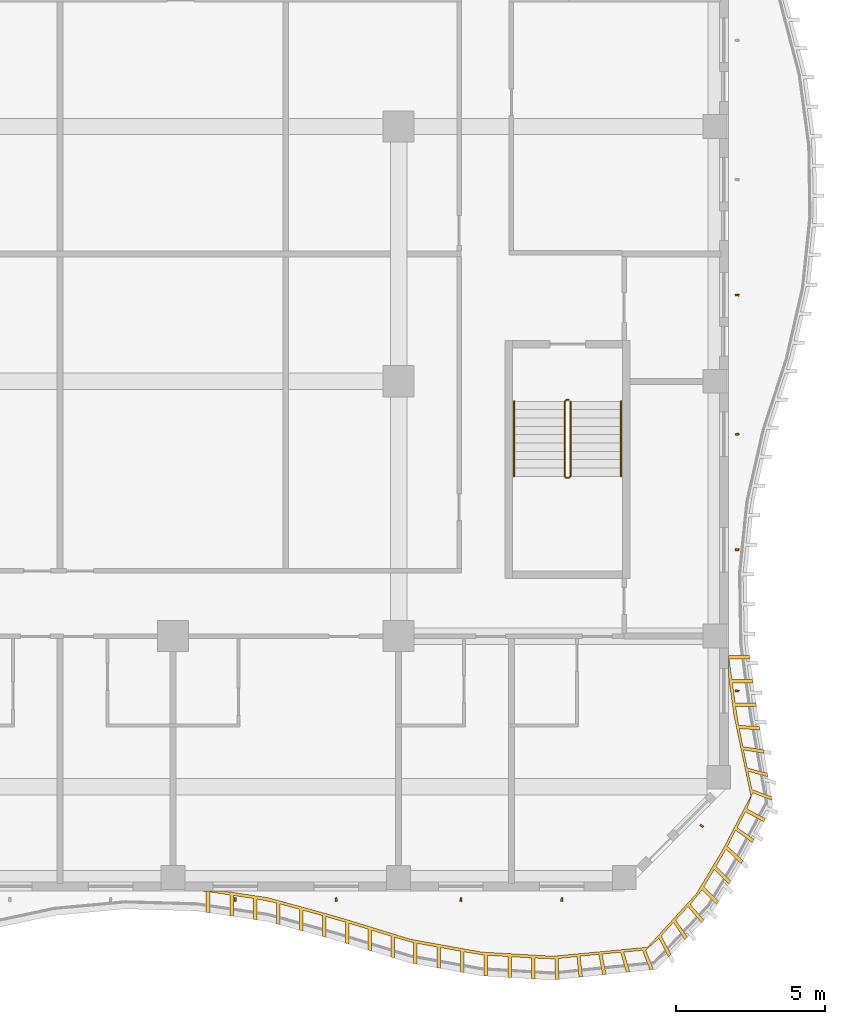
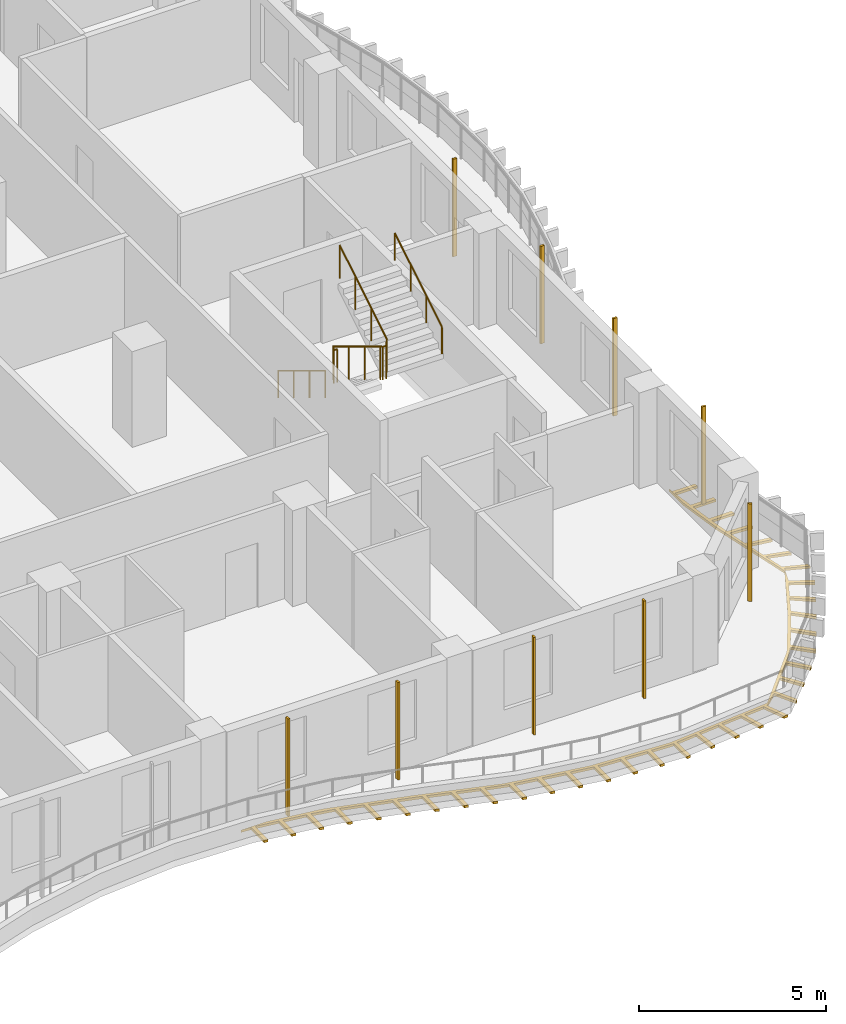
# One storey, part 17 of 21: 10 shading devices, 3 railings.
"""IFC4 building model written with IfcOpenShell, lengths in metres."""

import ifcopenshell
import ifcopenshell.guid

model = None  # the IFC model being written
_history = None  # IfcOwnerHistory: only IFC2X3 demands one
_inside = {}  # id of a spatial element -> (the spatial element, [elements in it])
_under = {}  # id of a project, library or spatial element -> (it, [spatial elements below it])
_declared = {}  # id of a project -> (the project, [libraries it declares])
_typed = {}  # id of a type object -> (the type object, [elements of that type])
_made_of = {}  # id of a material, layer set ... -> (it, [elements and type objects made of it])


def new_model(schema):
    """Start an empty IFC model of exactly this schema.

    Asked for "IFC4X3", IfcOpenShell would pick the latest addendum, in which some entities
    have other attributes; the version numbers below select the first issue.
    IFC2X3 requires an IfcOwnerHistory on every rooted entity: one is made here for all.
    """
    global model, _history
    if schema == "IFC4X3":
        model = ifcopenshell.file(schema_version=(4, 3, 0, 0))
    else:
        model = ifcopenshell.file(schema=schema)
    _inside.clear()
    _under.clear()
    _declared.clear()
    _typed.clear()
    _made_of.clear()
    _history = None
    if model.schema == "IFC2X3":
        org = make("IfcOrganization", Name="unknown")
        user = make(
            "IfcPersonAndOrganization",
            ThePerson=make("IfcPerson", FamilyName="unknown"),
            TheOrganization=org,
        )
        app = make(
            "IfcApplication",
            ApplicationDeveloper=org,
            Version="unknown",
            ApplicationFullName="unknown",
            ApplicationIdentifier="unknown",
        )
        _history = make(
            "IfcOwnerHistory",
            OwningUser=user,
            OwningApplication=app,
            ChangeAction="ADDED",
            CreationDate=0,
        )
    return model


def make(cls, **values):
    """One entity of the class cls with the attributes given. An attribute that is None is left unset."""
    return model.create_entity(
        cls, **{name: value for name, value in values.items() if value is not None}
    )


def rooted(cls, **values):
    """An entity with a GlobalId (a new one), such as an element, a storey or a relation."""
    return make(cls, GlobalId=ifcopenshell.guid.new(), OwnerHistory=_history, **values)


def si_unit(unit_type, name, prefix=None):
    """IfcSIUnit, for example si_unit("LENGTHUNIT", "METRE", prefix="MILLI")."""
    return make("IfcSIUnit", UnitType=unit_type, Prefix=prefix, Name=name)


def assignment(units):
    """IfcUnitAssignment: the units of a project."""
    return None if units is None else make("IfcUnitAssignment", Units=units)


def point(xyz):
    """IfcCartesianPoint."""
    return None if xyz is None else make("IfcCartesianPoint", Coordinates=xyz)


def direction(xyz):
    """IfcDirection."""
    return None if xyz is None else make("IfcDirection", DirectionRatios=xyz)


def frame(location, z_axis=None, x_axis=None):
    """IfcAxis2Placement3D, a coordinate frame: its origin and axes. An axis left out is left unset."""
    return make(
        "IfcAxis2Placement3D",
        Location=point(location),
        Axis=direction(z_axis),
        RefDirection=direction(x_axis),
    )


def frame_2d(location, x_axis=None):
    """IfcAxis2Placement2D, a coordinate frame in the plane: its origin and x axis."""
    return make(
        "IfcAxis2Placement2D", Location=point(location), RefDirection=direction(x_axis)
    )


def origin():
    """The frame at (0, 0, 0) with its axes left unset."""
    return frame((0.0, 0.0, 0.0))


def origin_2d():
    """The frame at (0, 0) in the plane with its x axis left unset."""
    return frame_2d((0.0, 0.0))


def place(relative_to, where):
    """IfcLocalPlacement: puts the frame where relative to a parent placement (None: the world)."""
    return make(
        "IfcLocalPlacement", PlacementRelTo=relative_to, RelativePlacement=where
    )


def context(
    kind, dimensions, precision=None, world=None, true_north=None, identifier=None
):
    """IfcGeometricRepresentationContext, for example the 3D "Model" context."""
    return make(
        "IfcGeometricRepresentationContext",
        ContextIdentifier=identifier,
        ContextType=kind,
        CoordinateSpaceDimension=dimensions,
        Precision=precision,
        WorldCoordinateSystem=world,
        TrueNorth=true_north,
    )


def subcontext(parent, identifier, kind, view, scale=None):
    """IfcGeometricRepresentationSubContext, for example "Body" below "Model"."""
    return make(
        "IfcGeometricRepresentationSubContext",
        ContextIdentifier=identifier,
        ContextType=kind,
        ParentContext=parent,
        TargetScale=scale,
        TargetView=view,
    )


def project(units=None, contexts=None):
    """IfcProject with its units and contexts."""
    return rooted(
        "IfcProject",
        Name="project",
        RepresentationContexts=contexts,
        UnitsInContext=assignment(units),
    )


def spatial(cls, under=None, at=None, **own):
    """A site, building, storey or space (cls), placed at a placement, below another one or the project."""
    s = rooted(cls, ObjectPlacement=at, **own)
    if under is not None:
        _under.setdefault(under.id(), (under, []))[1].append(s)
    return s


def polyline(points):
    """IfcPolyline through the points."""
    return make("IfcPolyline", Points=[point(p) for p in points])


def profile(cls, at=None, kind="AREA", **sizes):
    """A parametric profile (cls). Its sizes go by their IFC names, for example OverallWidth=200.0."""
    return make(cls, ProfileType=kind, Position=at, **sizes)


def rectangle(**sizes):
    """IfcRectangleProfileDef."""
    return profile("IfcRectangleProfileDef", **sizes)


def circle(**sizes):
    """IfcCircleProfileDef."""
    return profile("IfcCircleProfileDef", **sizes)


def outline(outer, holes=None, kind="AREA"):
    """IfcArbitraryClosedProfileDef: a profile drawn as a closed curve; with holes, ...WithVoids."""
    if holes is None:
        return make("IfcArbitraryClosedProfileDef", ProfileType=kind, OuterCurve=outer)
    return make(
        "IfcArbitraryProfileDefWithVoids",
        ProfileType=kind,
        OuterCurve=outer,
        InnerCurves=holes,
    )


def extrude(swept, where, along, depth):
    """IfcExtrudedAreaSolid: the profile swept, set in the frame where, extruded along a direction by depth."""
    return make(
        "IfcExtrudedAreaSolid",
        SweptArea=swept,
        Position=where,
        ExtrudedDirection=direction(along),
        Depth=depth,
    )


def shape(context_of_items, identifier, shape_type, items):
    """IfcShapeRepresentation: the items that make up one representation, for example the "Body"."""
    return make(
        "IfcShapeRepresentation",
        ContextOfItems=context_of_items,
        RepresentationIdentifier=identifier,
        RepresentationType=shape_type,
        Items=items,
    )


def source(mapping_origin, context_of_items, identifier, shape_type, items):
    """IfcRepresentationMap: a shape defined once, which mapped items show again and again."""
    return make(
        "IfcRepresentationMap",
        MappingOrigin=mapping_origin,
        MappedRepresentation=shape(context_of_items, identifier, shape_type, items),
    )


def transform(
    local_origin,
    x_axis=None,
    y_axis=None,
    z_axis=None,
    scale=None,
    scale2=None,
    scale3=None,
    uniform=True,
):
    """IfcCartesianTransformationOperator3D, or its non-uniform kind. x_axis, y_axis, z_axis: its Axis1, 2, 3."""
    if uniform:
        return make(
            "IfcCartesianTransformationOperator3D",
            Axis1=direction(x_axis),
            Axis2=direction(y_axis),
            LocalOrigin=point(local_origin),
            Scale=scale,
            Axis3=direction(z_axis),
        )
    return make(
        "IfcCartesianTransformationOperator3DnonUniform",
        Axis1=direction(x_axis),
        Axis2=direction(y_axis),
        LocalOrigin=point(local_origin),
        Scale=scale,
        Axis3=direction(z_axis),
        Scale2=scale2,
        Scale3=scale3,
    )


def mapped(mapping_source, mapping_target):
    """IfcMappedItem: shows the shape of a source again, moved by a transform."""
    return make(
        "IfcMappedItem", MappingSource=mapping_source, MappingTarget=mapping_target
    )


def material(Name=None, Category=None):
    """IfcMaterial."""
    return make("IfcMaterial", Name=Name, Category=Category)


def layer(
    of_material, thickness, ventilated=None, Name=None, Category=None, Priority=None
):
    """IfcMaterialLayer: one layer of a wall or slab, of a material (None: an air gap)."""
    return make(
        "IfcMaterialLayer",
        Material=of_material,
        LayerThickness=thickness,
        IsVentilated=ventilated,
        Name=Name,
        Category=Category,
        Priority=Priority,
    )


def layer_set(layers, Name=None):
    """IfcMaterialLayerSet."""
    return make("IfcMaterialLayerSet", MaterialLayers=layers, LayerSetName=Name)


def material_profile(
    of_material, cross_section, Name=None, Category=None, Priority=None
):
    """IfcMaterialProfile: a cross section and its material."""
    return make(
        "IfcMaterialProfile",
        Name=Name,
        Material=of_material,
        Profile=cross_section,
        Priority=Priority,
        Category=Category,
    )


def profile_set(profiles, Name=None, composite=None):
    """IfcMaterialProfileSet."""
    return make(
        "IfcMaterialProfileSet",
        Name=Name,
        MaterialProfiles=profiles,
        CompositeProfile=composite,
    )


def made_of(thing, what):
    """Note that an element or type object is made of a material, layer set ...; save() writes the relation."""
    if what is not None:
        _made_of.setdefault(what.id(), (what, []))[1].append(thing)
    return thing


def type_object(cls, material=None, **own):
    """A type object (cls), such as IfcWallType, which elements share."""
    return made_of(rooted(cls, **own), material)


def element(
    cls,
    number,
    at=None,
    inside=None,
    cuts=None,
    type_object=None,
    material=None,
    context=None,
    identifier="Body",
    shape_type=None,
    held_by="IfcProductDefinitionShape",
    body=None,
    shapes=None,
    **own,
):
    """One element of the class cls, such as IfcWall. Its Tag is "e" and its number.

    at: its placement. inside: the storey or other place that contains it. cuts: it is an
    opening in that element (IfcRelVoidsElement). A single representation is given by context,
    identifier, shape_type and body (its items); several are given by shapes. held_by: the class
    of the entity that holds the representations. save() writes the other relations.
    """
    e = rooted(cls, Tag="e%d" % number, ObjectPlacement=at, **own)
    if body is not None:
        shapes = [shape(context, identifier, shape_type, body)]
    if shapes is not None:
        e.Representation = make(held_by, Representations=shapes)
    if inside is not None:
        _inside.setdefault(inside.id(), (inside, []))[1].append(e)
    if cuts is not None:
        rooted(
            "IfcRelVoidsElement", RelatingBuildingElement=cuts, RelatedOpeningElement=e
        )
    if type_object is not None:
        _typed.setdefault(type_object.id(), (type_object, []))[1].append(e)
    return made_of(e, material)


def aggregate(whole, parts):
    """IfcRelAggregates: a whole, such as a stair, and the parts it consists of."""
    return rooted("IfcRelAggregates", RelatingObject=whole, RelatedObjects=parts)


def save(model, path):
    """Write the relations noted so far, then the file.

    IfcRelAggregates (storeys below a building ...), IfcRelContainedInSpatialStructure (elements
    in a storey), IfcRelDefinesByType, IfcRelAssociatesMaterial and IfcRelDeclares: one each for
    every whole, place, type object, material and project.
    """
    for whole, parts in _under.values():
        aggregate(whole, parts)
    for where, things in _inside.values():
        rooted(
            "IfcRelContainedInSpatialStructure",
            RelatedElements=things,
            RelatingStructure=where,
        )
    for kind, things in _typed.values():
        rooted("IfcRelDefinesByType", RelatedObjects=things, RelatingType=kind)
    for what, things in _made_of.values():
        rooted("IfcRelAssociatesMaterial", RelatedObjects=things, RelatingMaterial=what)
    for by, libraries in _declared.values():
        rooted("IfcRelDeclares", RelatingContext=by, RelatedDefinitions=libraries)
    model.write(path)


model = new_model("IFC4")

# Units and contexts
model_context = context("Model", 3, precision=1e-05, world=origin(), true_north=direction((0.0, 1.0)))
body_context = subcontext(model_context, "Body", "Model", "MODEL_VIEW")
ifc_project = project(units=[si_unit("LENGTHUNIT", "METRE"), si_unit("AREAUNIT", "SQUARE_METRE"), si_unit("VOLUMEUNIT", "CUBIC_METRE"), si_unit("PLANEANGLEUNIT", "RADIAN"), si_unit("MASSUNIT", "GRAM", prefix="KILO")], contexts=[model_context])

# Site, building, storey
site_placement = place(None, origin())
site = spatial("IfcSite", under=ifc_project, at=site_placement, CompositionType="ELEMENT")
building_placement = place(site_placement, origin())
building = spatial("IfcBuilding", under=site, at=building_placement, Name="Kilnfold Tower and Market Hall", CompositionType="ELEMENT")
storey_placement = place(building_placement, frame((0.0, 0.0, 182.10009765625)))
storey = spatial("IfcBuildingStorey", under=building, at=storey_placement, Name="L43", CompositionType="ELEMENT", Elevation=182.10009765625)

# Railings
ifc_material_1 = material(Name="Stainless steel 316", Category="steel")
railing_type_1 = type_object("IfcRailingType", Name="CORE STAIR GUARD 1100", PredefinedType="GUARDRAIL", material=ifc_material_1)
railing_1_placement = place(storey_placement, frame((19.89990234375, -9.75, 0.0)))
element("IfcRailing", 1, at=railing_1_placement, inside=storey, type_object=railing_type_1, Name="L43 ST4 stair guard 1", PredefinedType="GUARDRAIL", context=body_context, shape_type="SweptSolid", body=[
    extrude(circle(Radius=0.02392578125, at=origin_2d()), frame((0.0, 0.0, 1.076171875), z_axis=(-1.0, 0.0, 0.0), x_axis=(0.0, -1.0, 0.0)), (0.0, 0.0, 1.0), 0.099853515625),
    extrude(circle(Radius=0.02392578125, at=origin_2d()), frame((-0.099853515625, 0.0, 1.076171875), z_axis=(-0.271895245746, -0.271895245746, 0.923117517265), x_axis=(0.707106781187, -0.707106781187, 0.0)), (0.0, 0.0, 1.0), 0.18408203125),
    extrude(circle(Radius=0.02392578125, at=origin_2d()), frame((-0.14990234375, -0.050048828125, 1.24609375), z_axis=(0.0, -0.85478489116, 0.518982456201), x_axis=(1.0, 0.0, 0.0)), (0.0, 0.0, 1.0), 2.9482421875),
    extrude(circle(Radius=0.02392578125, at=origin_2d()), frame((-0.14990234375, -2.570068359375, 2.77587890625), z_axis=(0.707106781187, -0.707106781187, 0.0), x_axis=(0.707106781187, 0.707106781187, 0.0)), (0.0, 0.0, 1.0), 0.07080078125),
    extrude(circle(Radius=0.02392578125, at=origin_2d()), frame((-0.099853515625, -2.6201171875, 2.77587890625), z_axis=(1.0, 0.0, 0.0), x_axis=(0.0, 1.0, 0.0)), (0.0, 0.0, 1.0), 0.099853515625),
    extrude(circle(Radius=0.02392578125, at=origin_2d()), frame((0.0, -2.6201171875, 2.77587890625), z_axis=(0.271895245746, 0.271895245746, 0.923117517265), x_axis=(-0.707106781187, 0.707106781187, 0.0)), (0.0, 0.0, 1.0), 0.18408203125),
    extrude(circle(Radius=0.02392578125, at=origin_2d()), frame((0.050048828125, -2.570068359375, 2.94580078125), z_axis=(0.0, 0.85478489116, 0.518982456201), x_axis=(-1.0, 0.0, 0.0)), (0.0, 0.0, 1.0), 2.9482421875),
    extrude(circle(Radius=0.02099609375, at=origin_2d()), origin(), (0.0, 0.0, 1.0), 1.052001953125),
    extrude(circle(Radius=0.02099609375, at=origin_2d()), frame((-0.099853515625, 0.0, 0.0)), (0.0, 0.0, 1.0), 1.052001953125),
    extrude(circle(Radius=0.02099609375, at=origin_2d()), frame((-0.14990234375, -0.050048828125, 0.169921875)), (0.0, 0.0, 1.0), 1.052001953125),
    extrude(circle(Radius=0.02099609375, at=origin_2d()), frame((-0.14990234375, -0.89013671875, 0.679931640625)), (0.0, 0.0, 1.0), 1.052001953125),
    extrude(circle(Radius=0.02099609375, at=origin_2d()), frame((-0.14990234375, -1.72998046875, 1.18994140625)), (0.0, 0.0, 1.0), 1.052001953125),
    extrude(circle(Radius=0.02099609375, at=origin_2d()), frame((-0.14990234375, -2.570068359375, 1.699951171875)), (0.0, 0.0, 1.0), 1.052001953125),
    extrude(circle(Radius=0.02099609375, at=origin_2d()), frame((-0.099853515625, -2.6201171875, 1.699951171875)), (0.0, 0.0, 1.0), 1.052001953125),
    extrude(circle(Radius=0.02099609375, at=origin_2d()), frame((0.0, -2.6201171875, 1.699951171875)), (0.0, 0.0, 1.0), 1.052001953125),
    extrude(circle(Radius=0.02099609375, at=origin_2d()), frame((0.050048828125, -2.570068359375, 1.869873046875)), (0.0, 0.0, 1.0), 1.052001953125),
    extrude(circle(Radius=0.02099609375, at=origin_2d()), frame((0.050048828125, -1.72998046875, 2.3798828125)), (0.0, 0.0, 1.0), 1.052001953125),
    extrude(circle(Radius=0.02099609375, at=origin_2d()), frame((0.050048828125, -0.89013671875, 2.889892578125)), (0.0, 0.0, 1.0), 1.052001953125),
    extrude(circle(Radius=0.02099609375, at=origin_2d()), frame((0.050048828125, -0.050048828125, 3.39990234375)), (0.0, 0.0, 1.0), 1.052001953125),
])
ifc_material_2 = material(Name="Stainless steel 316", Category="steel")
railing_type_2 = type_object("IfcRailingType", Name="CORE STAIR HANDRAIL 900", PredefinedType="HANDRAIL", material=ifc_material_2)
railing_2_placement = place(storey_placement, frame((18.050048828125, -9.800048828125, 0.169921875)))
element("IfcRailing", 2, at=railing_2_placement, inside=storey, type_object=railing_type_2, Name="L43 ST4 stair handrail 1", PredefinedType="HANDRAIL", context=body_context, shape_type="SweptSolid", body=[
    extrude(circle(Radius=0.02392578125, at=origin_2d()), frame((0.0, 0.0, 0.8759765625), z_axis=(0.0, -0.85478489116, 0.518982456201), x_axis=(1.0, 0.0, 0.0)), (0.0, 0.0, 1.0), 2.9482421875),
    extrude(circle(Radius=0.02099609375, at=origin_2d()), origin(), (0.0, 0.0, 1.0), 0.851806640625),
    extrude(circle(Radius=0.02099609375, at=origin_2d()), frame((0.0, -0.840087890625, 0.510009765625)), (0.0, 0.0, 1.0), 0.851806640625),
    extrude(circle(Radius=0.02099609375, at=origin_2d()), frame((0.0, -1.679931640625, 1.02001953125)), (0.0, 0.0, 1.0), 0.851806640625),
    extrude(circle(Radius=0.02099609375, at=origin_2d()), frame((0.0, -2.52001953125, 1.530029296875)), (0.0, 0.0, 1.0), 0.851806640625),
])
railing_3_placement = place(storey_placement, frame((21.64990234375, -12.320068359375, 1.869873046875)))
element("IfcRailing", 3, at=railing_3_placement, inside=storey, type_object=railing_type_2, Name="L43 ST4 stair handrail 2", PredefinedType="HANDRAIL", context=body_context, shape_type="SweptSolid", body=[
    extrude(circle(Radius=0.02392578125, at=origin_2d()), frame((0.0, 0.0, 0.8759765625), z_axis=(0.0, 0.85478489116, 0.518982456201), x_axis=(-1.0, 0.0, 0.0)), (0.0, 0.0, 1.0), 2.9482421875),
    extrude(circle(Radius=0.02099609375, at=origin_2d()), origin(), (0.0, 0.0, 1.0), 0.851806640625),
    extrude(circle(Radius=0.02099609375, at=origin_2d()), frame((0.0, 0.840087890625, 0.510009765625)), (0.0, 0.0, 1.0), 0.851806640625),
    extrude(circle(Radius=0.02099609375, at=origin_2d()), frame((0.0, 1.679931640625, 1.02001953125)), (0.0, 0.0, 1.0), 0.851806640625),
    extrude(circle(Radius=0.02099609375, at=origin_2d()), frame((0.0, 2.52001953125, 1.530029296875)), (0.0, 0.0, 1.0), 0.851806640625),
])

# Shading devices
ifc_material_3 = material(Name="Terracotta", Category="masonry")
ifc_material_profile = material_profile(ifc_material_3, rectangle(XDim=0.06005859375, YDim=0.1201171875, at=origin_2d()), Name="BAG 60x120")
ifc_profile_set = profile_set([ifc_material_profile], Name="Terracotta")
shading_device_type_1 = type_object("IfcShadingDeviceType", Name="BAGUETTE", PredefinedType="USERDEFINED", material=ifc_profile_set)
shared_shape_1 = source(origin(), body_context, "Body", "SweptSolid", [
    extrude(rectangle(XDim=0.06005859375, YDim=0.1201171875, at=origin_2d()), origin(), (0.0, 0.0, 1.0), 3.179931640625),
])
for number, where, z_axis, x_axis, name in (
    (4, (8.67919921875, -26.550048828125, 0.0), (0.0, 0.0, 1.0), (0.996554364874, 0.082942135553, 0.0), "Terracotta baguette L43 S"),
    (5, (12.07080078125, -26.550048828125, 0.0), (0.0, 0.0, 1.0), (0.993261976193, 0.115890666791, 0.0), "Terracotta baguette L43 S"),
    (6, (16.262451171875, -26.550048828125, 0.0), (0.0, 0.0, 1.0), (0.994036941599, -0.109043838598, 0.0), "Terracotta baguette L43 S"),
    (7, (19.654296875, -26.550048828125, 0.0), (0.0, 0.0, 1.0), (0.995758005137, -0.092010842865, 0.0), "Terracotta baguette L43 S"),
    (8, (24.35498046875, -24.0693359375, 0.0), (0.0, 0.0, 1.0), (0.603380587391, 0.797453363376, 0.0), "Terracotta baguette L43 SE"),
    (9, (25.550048828125, -19.53173828125, 0.0), (0.0, 0.0, 1.0), (0.094428023809, 0.995531691268, 0.0), "Terracotta baguette L43 E"),
    (10, (25.550048828125, -14.78759765625, 0.0), (0.0, 0.0, 1.0), (0.037001258554, 0.99931521897, 0.0), "Terracotta baguette L43 E"),
    (11, (25.550048828125, -10.90625, 0.0), (0.0, 0.0, 1.0), (-0.138521485257, 0.990359428754, 0.0), "Terracotta baguette L43 E"),
    (12, (25.550048828125, -6.22509765625, 0.0), (0.0, 0.0, 1.0), (0.058550217022, 0.998284464512, 0.0), "Terracotta baguette L43 E"),
):
    element("IfcShadingDevice", number, at=place(storey_placement, frame(where, z_axis=z_axis, x_axis=x_axis)), inside=storey, type_object=shading_device_type_1, Name=name, ObjectType="BAGUETTE", PredefinedType="USERDEFINED", context=body_context, shape_type="MappedRepresentation", body=[
        mapped(shared_shape_1, transform((0.0, 0.0, 0.0))),
    ])
ifc_material_4 = material(Name="Bronze anodised aluminium", Category="aluminium")
ifc_layer = layer(ifc_material_4, 0.080078125)
ifc_layer_set = layer_set([ifc_layer], Name="Bronze anodised aluminium")
shading_device_type_2 = type_object("IfcShadingDeviceType", Name="BRONZE SLAT SOFFIT 80", PredefinedType="USERDEFINED", material=ifc_layer_set)
shared_shape_2 = source(origin(), body_context, "Body", "SweptSolid", [
    extrude(outline(polyline([(9.7763671875, -26.482421875), (12.171142578125, -27.142578125), (14.56591796875, -27.87939453125), (16.96044921875, -28.310302734375), (19.355224609375, -28.449951171875), (22.5361328125, -28.14794921875), (24.178955078125, -26.345458984375), (25.053466796875, -24.88671875), (26.0087890625, -23.064208984375), (25.43896484375, -20.355224609375), (25.25, -18.982177734375), (25.25, -18.2001953125), (25.2626953125, -18.348876953125), (25.962890625, -18.348876953125), (25.979248046875, -18.4677734375), (25.279296875, -18.4677734375), (25.371826171875, -19.141357421875), (26.072021484375, -19.141357421875), (26.074951171875, -19.16357421875), (26.08837890625, -19.26025390625), (25.38818359375, -19.26025390625), (25.48095703125, -19.933837890625), (26.180908203125, -19.933837890625), (26.197509765625, -20.052734375), (25.497314453125, -20.052734375), (25.60205078125, -20.691650390625), (26.30126953125, -20.724609375), (26.3212890625, -20.843017578125), (25.622802734375, -20.79931640625), (25.7421875, -21.40869140625), (26.4345703125, -21.513427734375), (26.454345703125, -21.6318359375), (25.763916015625, -21.516357421875), (25.89013671875, -22.126220703125), (26.567626953125, -22.302490234375), (26.58740234375, -22.420654296875), (25.912841796875, -22.234130859375), (26.044921875, -22.8466796875), (26.70068359375, -23.09130859375), (26.720703125, -23.209716796875), (26.068603515625, -22.955078125), (25.879638671875, -23.503173828125), (26.50146484375, -23.82470703125), (26.4443359375, -23.930419921875), (25.8291015625, -23.59619140625), (25.547119140625, -24.126220703125), (26.1201171875, -24.528076171875), (26.06298828125, -24.633544921875), (25.498046875, -24.220458984375), (25.22412109375, -24.757080078125), (25.739013671875, -25.2314453125), (25.681884765625, -25.3369140625), (25.17626953125, -24.8525390625), (24.842041015625, -25.427978515625), (25.337158203125, -25.923095703125), (25.275390625, -26.02587890625), (24.780517578125, -25.531005859375), (24.4306640625, -26.114013671875), (24.92578125, -26.609130859375), (24.864013671875, -26.7119140625), (24.368896484375, -26.217041015625), (23.97119140625, -26.70849609375), (24.43408203125, -27.23388671875), (24.350830078125, -27.3203125), (23.897216796875, -26.787109375), (23.47998046875, -27.235107421875), (23.879150390625, -27.81005859375), (23.7958984375, -27.896484375), (23.40673828125, -27.314697265625), (22.994140625, -27.769287109375), (23.32421875, -28.386474609375), (23.2412109375, -28.472900390625), (22.92138671875, -27.85009765625), (22.477294921875, -28.248046875), (22.73779296875, -28.89794921875), (22.618408203125, -28.910400390625), (22.36669921875, -28.257080078125), (21.740478515625, -28.310302734375), (21.942138671875, -28.980712890625), (21.82275390625, -28.9931640625), (21.630126953125, -28.3203125), (21.006103515625, -28.377685546875), (21.146484375, -29.0634765625), (21.027099609375, -29.075927734375), (20.89599609375, -28.38818359375), (20.27294921875, -28.45068359375), (20.3505859375, -29.146484375), (20.2314453125, -29.15869140625), (20.1630859375, -28.462158203125), (19.53955078125, -28.529296875), (19.554931640625, -29.229248046875), (19.435791015625, -29.24169921875), (19.429443359375, -28.541748046875), (18.757080078125, -28.51513671875), (18.757080078125, -29.215087890625), (18.63720703125, -29.2080078125), (18.63720703125, -28.508056640625), (17.95849609375, -28.468505859375), (17.95849609375, -29.168701171875), (17.838623046875, -29.16162109375), (17.838623046875, -28.461669921875), (17.159912109375, -28.422119140625), (17.159912109375, -29.1220703125), (17.0400390625, -29.114990234375), (17.0400390625, -28.4150390625), (16.36962890625, -28.30419921875), (16.36962890625, -29.004150390625), (16.25146484375, -28.98291015625), (16.25146484375, -28.28271484375), (15.582275390625, -28.162353515625), (15.582275390625, -28.8623046875), (15.464111328125, -28.841064453125), (15.464111328125, -28.14111328125), (14.794921875, -28.0205078125), (14.794921875, -28.720703125), (14.6767578125, -28.699462890625), (14.6767578125, -27.99951171875), (14.023681640625, -27.8125), (14.023681640625, -28.5126953125), (13.908935546875, -28.477294921875), (13.908935546875, -27.77734375), (13.259033203125, -27.577392578125), (13.259033203125, -28.27734375), (13.144287109375, -28.2421875), (13.144287109375, -27.5419921875), (12.494384765625, -27.342041015625), (12.494384765625, -28.0419921875), (12.3798828125, -28.0068359375), (12.3798828125, -27.306884765625), (11.72607421875, -27.119873046875), (11.72607421875, -27.81982421875), (11.6103515625, -27.7880859375), (11.6103515625, -27.087890625), (10.954833984375, -26.9072265625), (10.954833984375, -27.607421875), (10.839111328125, -27.575439453125), (10.839111328125, -26.87548828125), (10.18359375, -26.694580078125), (10.18359375, -27.394775390625), (10.06787109375, -27.36279296875), (10.06787109375, -26.662841796875), (9.40283203125, -26.527099609375), (9.40283203125, -27.22705078125), (9.2841796875, -27.209228515625), (9.2841796875, -26.50927734375), (8.611572265625, -26.409423828125), (8.611572265625, -27.109619140625), (8.492919921875, -27.091796875), (8.492919921875, -26.391845703125), (7.8203125, -26.2919921875), (7.8203125, -26.991943359375), (7.701416015625, -26.974365234375), (7.701416015625, -26.2744140625), (7.414306640625, -26.25), (8.210693359375, -26.25), (9.7763671875, -26.482421875)])), origin(), (0.0, 0.0, 1.0), 0.079833984375),
])
shading_device_placement = place(storey_placement, frame((0.0, 0.0, -0.300048828125)))
element("IfcShadingDevice", 13, at=shading_device_placement, inside=storey, type_object=shading_device_type_2, Name="Balcony soffit slats L43", ObjectType="SLAT", PredefinedType="USERDEFINED", context=body_context, shape_type="MappedRepresentation", body=[
    mapped(shared_shape_2, transform((0.0, 0.0, 0.0))),
])

save(model, "model.ifc")
